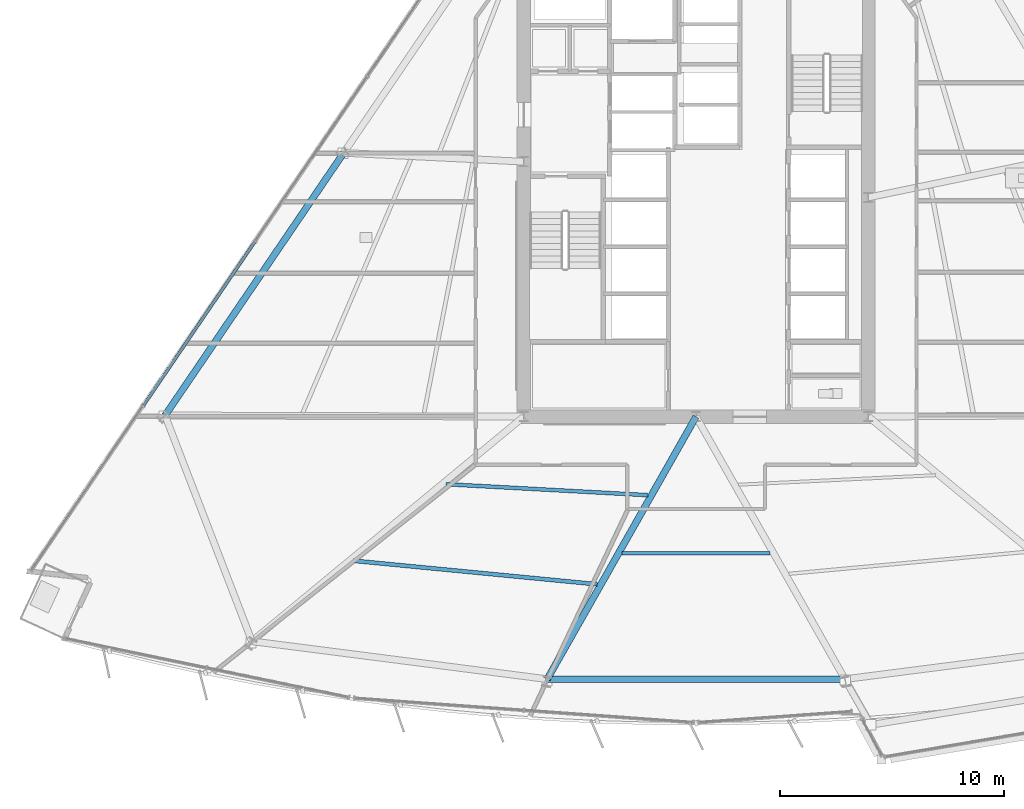
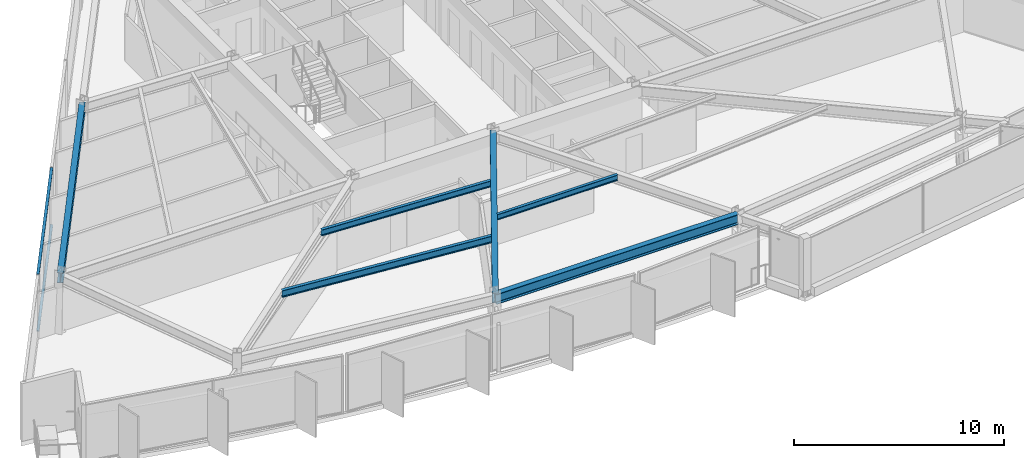
# One storey, part 3 of 18: 6 beams, 2 members, 1 element without a shape of its own.
"""IFC4 building model written with IfcOpenShell, lengths in metres."""

from ifc_helpers import new_model, si_unit, direction, frame, origin, origin_2d, place, context, subcontext, project, spatial, rectangle, i_section, extrude, material, material_profile, profile_set, type_object, element, aggregate, save


model = new_model("IFC4")

# Units and contexts
model_context = context("Model", 3, precision=1e-05, world=origin(), true_north=direction((0.0, 1.0)))
body_context = subcontext(model_context, "Body", "Model", "MODEL_VIEW")
ifc_project = project(units=[si_unit("LENGTHUNIT", "METRE"), si_unit("AREAUNIT", "SQUARE_METRE"), si_unit("VOLUMEUNIT", "CUBIC_METRE"), si_unit("PLANEANGLEUNIT", "RADIAN"), si_unit("MASSUNIT", "GRAM", prefix="KILO")], contexts=[model_context])

# Site, building, storey
site_placement = place(None, origin())
site = spatial("IfcSite", under=ifc_project, at=site_placement, CompositionType="ELEMENT")
building_placement = place(site_placement, origin())
building = spatial("IfcBuilding", under=site, at=building_placement, Name="Savorim Split Tower", CompositionType="ELEMENT")
storey_placement = place(building_placement, frame((0.0, 0.0, 48.0)))
storey = spatial("IfcBuildingStorey", under=building, at=storey_placement, Name="L12", CompositionType="ELEMENT", Elevation=48.0)

# Beams
ifc_material_1 = material(Name="Steel S355", Category="steel")
ifc_material_profile_1 = material_profile(ifc_material_1, i_section(OverallWidth=0.159912109375, OverallDepth=0.330078125, WebThickness=0.007568359375, FlangeThickness=0.011474609375, FilletRadius=0.01806640625, at=origin_2d()), Name="IPE 330")
ifc_profile_set_1 = profile_set([ifc_material_profile_1], Name="Steel S355")
beam_type_1 = type_object("IfcBeamType", Name="BM-JST-IPE330", PredefinedType="JOIST", material=ifc_profile_set_1)
beam_1_placement = place(storey_placement, frame((-3.3017578125, -15.505615234375, 3.18505859375), z_axis=(1.0, 0.0, 0.0), x_axis=(0.0, 1.0, 0.0)))
element("IfcBeam", 1, at=beam_1_placement, inside=storey, type_object=beam_type_1, Name="L12 Secondary Floor Joist JS-03", PredefinedType="JOIST", context=body_context, shape_type="SweptSolid", body=[
    extrude(i_section(OverallWidth=0.159912109375, OverallDepth=0.330078125, WebThickness=0.007568359375, FlangeThickness=0.011474609375, FilletRadius=0.01806640625, at=origin_2d()), origin(), (0.0, 0.0, 1.0), 6.603515625),
])
ifc_material_profile_2 = material_profile(ifc_material_1, i_section(OverallWidth=0.169921875, OverallDepth=0.360107421875, WebThickness=0.008056640625, FlangeThickness=0.0126953125, FilletRadius=0.01806640625, at=origin_2d()), Name="IPE 360")
ifc_profile_set_2 = profile_set([ifc_material_profile_2], Name="Steel S355")
beam_type_2 = type_object("IfcBeamType", Name="BM-JST-IPE360", PredefinedType="JOIST", material=ifc_profile_set_2)
beam_2_placement = place(storey_placement, frame((-11.189208984375, -12.422607421875, 3.169921875), z_axis=(0.998524448569, -0.054304010988, 0.0), x_axis=(0.054304010988, 0.998524448569, 0.0)))
element("IfcBeam", 2, at=beam_2_placement, inside=storey, type_object=beam_type_2, Name="L12 Secondary Floor Joist JS-02", PredefinedType="JOIST", context=body_context, shape_type="SweptSolid", body=[
    extrude(i_section(OverallWidth=0.169921875, OverallDepth=0.360107421875, WebThickness=0.008056640625, FlangeThickness=0.0126953125, FilletRadius=0.01806640625, at=origin_2d()), origin(), (0.0, 0.0, 1.0), 9.045654296875),
])
ifc_material_profile_3 = material_profile(ifc_material_1, i_section(OverallWidth=0.179931640625, OverallDepth=0.39990234375, WebThickness=0.008544921875, FlangeThickness=0.013427734375, FilletRadius=0.02099609375, at=origin_2d()), Name="IPE 400")
ifc_profile_set_3 = profile_set([ifc_material_profile_3], Name="Steel S355")
beam_type_3 = type_object("IfcBeamType", Name="BM-JST-IPE400", PredefinedType="JOIST", material=ifc_profile_set_3)
beam_3_placement = place(storey_placement, frame((-15.325439453125, -15.844970703125, 3.14990234375), z_axis=(0.995358142145, -0.096240162438, 0.0), x_axis=(0.096240162438, 0.995358142145, 0.0)))
element("IfcBeam", 3, at=beam_3_placement, inside=storey, type_object=beam_type_3, Name="L12 Secondary Floor Joist JS-01", PredefinedType="JOIST", context=body_context, shape_type="SweptSolid", body=[
    extrude(i_section(OverallWidth=0.179931640625, OverallDepth=0.39990234375, WebThickness=0.008544921875, FlangeThickness=0.013427734375, FilletRadius=0.02099609375, at=origin_2d()), origin(), (0.0, 0.0, 1.0), 10.956298828125),
])
ifc_material_profile_4 = material_profile(ifc_material_1, i_section(OverallWidth=0.300048828125, OverallDepth=0.60009765625, WebThickness=0.015380859375, FlangeThickness=0.030029296875, FilletRadius=0.027099609375, at=origin_2d()), Name="HEB 600")
ifc_profile_set_4 = profile_set([ifc_material_profile_4], Name="Steel S355")
beam_type_4 = type_object("IfcBeamType", Name="BM-PRI-HEB600", PredefinedType="BEAM", material=ifc_profile_set_4)
beam_4_placement = place(storey_placement, frame((-6.657470703125, -21.141845703125, 3.050048828125), z_axis=(0.493220203401, 0.869904495308, 0.0), x_axis=(-0.869904495308, 0.493220203401, 0.0)))
element("IfcBeam", 4, at=beam_4_placement, inside=storey, type_object=beam_type_4, Name="L12 Primary Floor Girder RG-02", PredefinedType="BEAM", context=body_context, shape_type="SweptSolid", body=[
    extrude(i_section(OverallWidth=0.300048828125, OverallDepth=0.60009765625, WebThickness=0.015380859375, FlangeThickness=0.030029296875, FilletRadius=0.027099609375, at=origin_2d()), origin(), (0.0, 0.0, 1.0), 13.498046875),
])
ifc_material_profile_5 = material_profile(ifc_material_1, i_section(OverallWidth=0.300048828125, OverallDepth=0.590087890625, WebThickness=0.012939453125, FlangeThickness=0.02490234375, FilletRadius=0.027099609375, at=origin_2d()), Name="HEA 600")
ifc_profile_set_5 = profile_set([ifc_material_profile_5], Name="Steel S355")
beam_type_5 = type_object("IfcBeamType", Name="BM-SPN-HEA600", PredefinedType="SPANDREL", material=ifc_profile_set_5)
beam_5_placement = place(storey_placement, frame((-6.657470703125, -21.141845703125, 3.054931640625), z_axis=(1.0, 0.0, 0.0), x_axis=(0.0, 1.0, 0.0)))
element("IfcBeam", 5, at=beam_5_placement, inside=storey, type_object=beam_type_5, Name="L12 Perimeter Spandrel Beam 2", PredefinedType="SPANDREL", context=body_context, shape_type="SweptSolid", body=[
    extrude(i_section(OverallWidth=0.300048828125, OverallDepth=0.590087890625, WebThickness=0.012939453125, FlangeThickness=0.02490234375, FilletRadius=0.027099609375, at=origin_2d()), origin(), (0.0, 0.0, 1.0), 13.31494140625),
])
beam_6_placement = place(storey_placement, frame((-15.759033203125, 2.394287109375, 3.054931640625), z_axis=(-0.562474570512, -0.826814584733, 0.0), x_axis=(0.826814584733, -0.562474570512, 0.0)))
element("IfcBeam", 6, at=beam_6_placement, inside=storey, type_object=beam_type_5, Name="L12 Perimeter Spandrel Beam 9", PredefinedType="SPANDREL", context=body_context, shape_type="SweptSolid", body=[
    extrude(i_section(OverallWidth=0.300048828125, OverallDepth=0.590087890625, WebThickness=0.012939453125, FlangeThickness=0.02490234375, FilletRadius=0.027099609375, at=origin_2d()), origin(), (0.0, 0.0, 1.0), 14.202880859375),
])

# Curtain wall, members
ifc_material_2 = material(Name="Dark Ceramic-Fritted Insulated Glass", Category="glass")
curtain_wall_type = type_object("IfcCurtainWallType", Name="CW-TWR-FRIT-A", PredefinedType="NOTDEFINED", material=ifc_material_2)
curtain_wall_placement = place(storey_placement, origin())
curtain_wall = element("IfcCurtainWall", 7, at=curtain_wall_placement, inside=storey, type_object=curtain_wall_type, Name="L12 Curtain Wall CW-L12-WEST", PredefinedType="NOTDEFINED")
ifc_material_3 = material(Name="Charcoal Anodised Aluminium", Category="aluminium")
ifc_material_profile_6 = material_profile(ifc_material_3, rectangle(XDim=0.139892578125, YDim=0.054931640625, at=origin_2d()), Name="ALU-T 140x55")
ifc_profile_set_6 = profile_set([ifc_material_profile_6], Name="Charcoal Anodised Aluminium")
member_type = type_object("IfcMemberType", Name="CWT-140x55", PredefinedType="USERDEFINED", material=ifc_profile_set_6)
member_1_placement = place(storey_placement, frame((-19.736328125, -1.5859375, 0.027587890625), z_axis=(-0.562463858464, -0.826821871942, 0.0), x_axis=(0.826821871942, -0.562463858464, 0.0)))
member_1 = element("IfcMember", 8, at=member_1_placement, type_object=member_type, Name="CW-02 transom 3.1", ObjectType="TRANSOM", PredefinedType="USERDEFINED", context=body_context, shape_type="SweptSolid", body=[
    extrude(rectangle(XDim=0.139892578125, YDim=0.054931640625, at=origin_2d()), origin(), (0.0, 0.0, 1.0), 8.854736328125),
])
member_2_placement = place(storey_placement, frame((-19.736328125, -1.5859375, 3.322509765625), z_axis=(-0.562463858464, -0.826821871942, 0.0), x_axis=(0.826821871942, -0.562463858464, 0.0)))
member_2 = element("IfcMember", 9, at=member_2_placement, type_object=member_type, Name="CW-02 transom 3.2", ObjectType="TRANSOM", PredefinedType="USERDEFINED", context=body_context, shape_type="SweptSolid", body=[
    extrude(rectangle(XDim=0.139892578125, YDim=0.054931640625, at=origin_2d()), origin(), (0.0, 0.0, 1.0), 8.854736328125),
])
aggregate(curtain_wall, [member_1, member_2])

save(model, "model.ifc")
